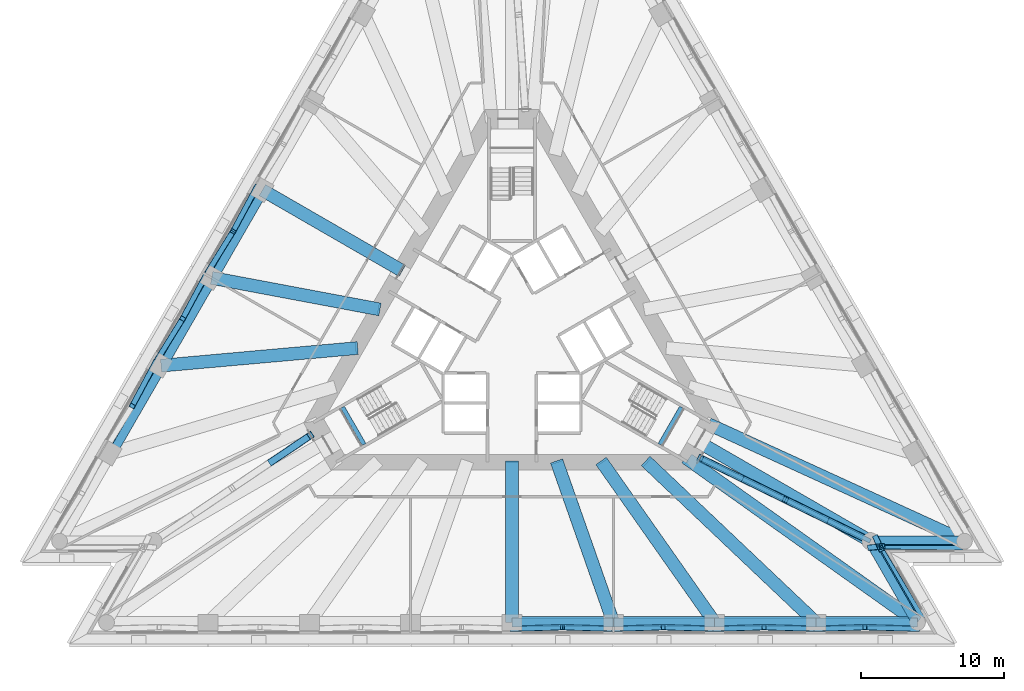
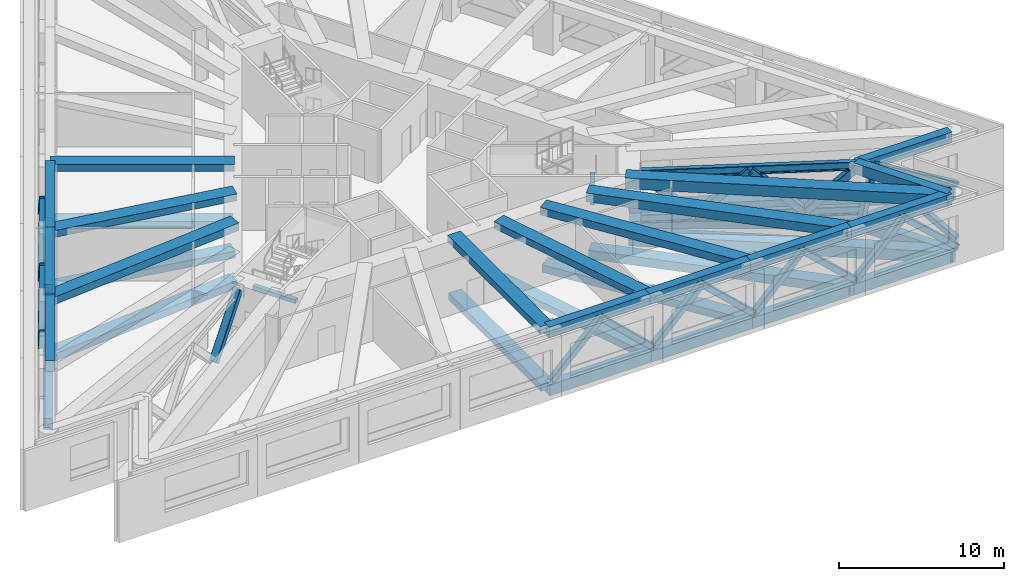
# One storey, part 2 of 13: 38 beams, 24 members.
"""IFC4 building model written with IfcOpenShell, lengths in metres."""

from ifc_helpers import new_model, si_unit, direction, frame, origin, origin_2d, place, context, subcontext, project, spatial, rectangle, hollow_rectangle, i_section, extrude, material, material_profile, profile_set, type_object, element, save


model = new_model("IFC4")

# Units and contexts
model_context = context("Model", 3, precision=1e-05, world=origin(), true_north=direction((0.0, 1.0)))
body_context = subcontext(model_context, "Body", "Model", "MODEL_VIEW")
ifc_project = project(units=[si_unit("LENGTHUNIT", "METRE"), si_unit("AREAUNIT", "SQUARE_METRE"), si_unit("VOLUMEUNIT", "CUBIC_METRE"), si_unit("PLANEANGLEUNIT", "RADIAN"), si_unit("MASSUNIT", "GRAM", prefix="KILO")], contexts=[model_context])

# Site, building, storey
site_placement = place(None, origin())
site = spatial("IfcSite", under=ifc_project, at=site_placement, CompositionType="ELEMENT")
building_placement = place(site_placement, origin())
building = spatial("IfcBuilding", under=site, at=building_placement, Name="Triada Interchange Tower", CompositionType="ELEMENT")
storey_placement = place(building_placement, frame((0.0, 0.0, 95.300048828125)))
storey = spatial("IfcBuildingStorey", under=building, at=storey_placement, Name="L21", CompositionType="ELEMENT", Elevation=95.300048828125)

# Members
ifc_material_1 = material(Name="Steel S355", Category="steel")
ifc_material_profile_1 = material_profile(ifc_material_1, hollow_rectangle(XDim=0.39990234375, YDim=0.39990234375, WallThickness=0.02001953125, InnerFilletRadius=0.02001953125, OuterFilletRadius=0.030029296875, at=origin_2d()), Name="RHS 400x400x20")
ifc_profile_set_1 = profile_set([ifc_material_profile_1], Name="Steel S355")
member_type_1 = type_object("IfcMemberType", Name="Belt truss diagonal RHS 400x400x20", PredefinedType="BRACE", material=ifc_profile_set_1)
member_1_placement = place(storey_placement, frame((-17.820068359375, 10.2880859375, 0.14990234375), z_axis=(-0.342566635054, -0.638419638056, 0.689252106483), x_axis=(0.881160268064, -0.472817704815, 0.0)))
element("IfcMember", 1, at=member_1_placement, inside=storey, type_object=member_type_1, Name="Belt truss diagonal 009 L21", PredefinedType="BRACE", context=body_context, shape_type="SweptSolid", body=[
    extrude(hollow_rectangle(XDim=0.39990234375, YDim=0.39990234375, WallThickness=0.02001953125, InnerFilletRadius=0.02001953125, OuterFilletRadius=0.030029296875, at=origin_2d()), origin(), (0.0, 0.0, 1.0), 4.860595703125),
])
member_2_placement = place(storey_placement, frame((-21.360107421875, 4.156982421875, 0.14990234375), z_axis=(0.383468261877, 0.619291256779, 0.685149933526), x_axis=(-0.850205245653, 0.526451365526, 0.0)))
element("IfcMember", 2, at=member_2_placement, inside=storey, type_object=member_type_1, Name="Belt truss diagonal 010 L21", PredefinedType="BRACE", context=body_context, shape_type="SweptSolid", body=[
    extrude(hollow_rectangle(XDim=0.39990234375, YDim=0.39990234375, WallThickness=0.02001953125, InnerFilletRadius=0.02001953125, OuterFilletRadius=0.030029296875, at=origin_2d()), origin(), (0.0, 0.0, 1.0), 4.8896484375),
])
member_3_placement = place(storey_placement, frame((-21.360107421875, 4.156982421875, 0.14990234375), z_axis=(-0.340351909776, -0.63528651706, 0.693232730584), x_axis=(0.881468506946, -0.472242809646, 0.0)))
element("IfcMember", 3, at=member_3_placement, inside=storey, type_object=member_type_1, Name="Belt truss diagonal 011 L21", PredefinedType="BRACE", context=body_context, shape_type="SweptSolid", body=[
    extrude(hollow_rectangle(XDim=0.39990234375, YDim=0.39990234375, WallThickness=0.02001953125, InnerFilletRadius=0.02001953125, OuterFilletRadius=0.030029296875, at=origin_2d()), origin(), (0.0, 0.0, 1.0), 4.83251953125),
])
member_4_placement = place(storey_placement, frame((-24.89990234375, -1.97412109375, 0.14990234375), z_axis=(0.385343396763, 0.622447244088, 0.681226757328), x_axis=(-0.850253584729, 0.526373291168, 0.0)))
element("IfcMember", 4, at=member_4_placement, inside=storey, type_object=member_type_1, Name="Belt truss diagonal 012 L21", PredefinedType="BRACE", context=body_context, shape_type="SweptSolid", body=[
    extrude(hollow_rectangle(XDim=0.39990234375, YDim=0.39990234375, WallThickness=0.02001953125, InnerFilletRadius=0.02001953125, OuterFilletRadius=0.030029296875, at=origin_2d()), origin(), (0.0, 0.0, 1.0), 4.917724609375),
])
member_5_placement = place(storey_placement, frame((-24.89990234375, -1.97412109375, 0.14990234375), z_axis=(-0.338381782857, -0.632001651194, 0.697188412066), x_axis=(0.881590575317, -0.472014891198, 0.0)))
element("IfcMember", 5, at=member_5_placement, inside=storey, type_object=member_type_1, Name="Belt truss diagonal 013 L21", PredefinedType="BRACE", context=body_context, shape_type="SweptSolid", body=[
    extrude(hollow_rectangle(XDim=0.39990234375, YDim=0.39990234375, WallThickness=0.02001953125, InnerFilletRadius=0.02001953125, OuterFilletRadius=0.030029296875, at=origin_2d()), origin(), (0.0, 0.0, 1.0), 4.80517578125),
])
member_6_placement = place(storey_placement, frame((0.0, -20.576904296875, 0.14990234375), z_axis=(0.724189399114, 0.022602665391, 0.689230609976), x_axis=(-0.031195795653, 0.999513292725, 0.0)))
element("IfcMember", 6, at=member_6_placement, inside=storey, type_object=member_type_1, Name="Belt truss diagonal 029 L21", PredefinedType="BRACE", context=body_context, shape_type="SweptSolid", body=[
    extrude(hollow_rectangle(XDim=0.39990234375, YDim=0.39990234375, WallThickness=0.02001953125, InnerFilletRadius=0.02001953125, OuterFilletRadius=0.030029296875, at=origin_2d()), origin(), (0.0, 0.0, 1.0), 4.860595703125),
])
member_7_placement = place(storey_placement, frame((7.080078125, -20.576904296875, 0.14990234375), z_axis=(-0.728071862105, 0.022468271701, 0.68513249841), x_axis=(-0.030845280278, -0.999524171136, 0.0)))
element("IfcMember", 7, at=member_7_placement, inside=storey, type_object=member_type_1, Name="Belt truss diagonal 030 L21", PredefinedType="BRACE", context=body_context, shape_type="SweptSolid", body=[
    extrude(hollow_rectangle(XDim=0.39990234375, YDim=0.39990234375, WallThickness=0.02001953125, InnerFilletRadius=0.02001953125, OuterFilletRadius=0.030029296875, at=origin_2d()), origin(), (0.0, 0.0, 1.0), 4.8896484375),
])
member_8_placement = place(storey_placement, frame((7.080078125, -20.576904296875, 0.14990234375), z_axis=(0.72043128378, 0.022731319429, 0.693153700465), x_axis=(-0.031536682639, 0.999502595118, 0.0)))
element("IfcMember", 8, at=member_8_placement, inside=storey, type_object=member_type_1, Name="Belt truss diagonal 031 L21", PredefinedType="BRACE", context=body_context, shape_type="SweptSolid", body=[
    extrude(hollow_rectangle(XDim=0.39990234375, YDim=0.39990234375, WallThickness=0.02001953125, InnerFilletRadius=0.02001953125, OuterFilletRadius=0.030029296875, at=origin_2d()), origin(), (0.0, 0.0, 1.0), 4.8330078125),
])
member_9_placement = place(storey_placement, frame((14.158935546875, -20.576904296875, 0.14990234375), z_axis=(-0.731585684741, 0.022345317188, 0.681383205459), x_axis=(-0.030529440073, -0.999533868005, 0.0)))
element("IfcMember", 9, at=member_9_placement, inside=storey, type_object=member_type_1, Name="Belt truss diagonal 032 L21", PredefinedType="BRACE", context=body_context, shape_type="SweptSolid", body=[
    extrude(hollow_rectangle(XDim=0.39990234375, YDim=0.39990234375, WallThickness=0.02001953125, InnerFilletRadius=0.02001953125, OuterFilletRadius=0.030029296875, at=origin_2d()), origin(), (0.0, 0.0, 1.0), 4.91650390625),
])
member_10_placement = place(storey_placement, frame((14.158935546875, -20.576904296875, 0.14990234375), z_axis=(0.716534461914, 0.022863256602, 0.697176904657), x_axis=(-0.031891873798, 0.999491324818, 0.0)))
element("IfcMember", 10, at=member_10_placement, inside=storey, type_object=member_type_1, Name="Belt truss diagonal 033 L21", PredefinedType="BRACE", context=body_context, shape_type="SweptSolid", body=[
    extrude(hollow_rectangle(XDim=0.39990234375, YDim=0.39990234375, WallThickness=0.02001953125, InnerFilletRadius=0.02001953125, OuterFilletRadius=0.030029296875, at=origin_2d()), origin(), (0.0, 0.0, 1.0), 4.80517578125),
])
member_11_placement = place(storey_placement, frame((21.239013671875, -20.576904296875, 0.14990234375), z_axis=(-0.735337083342, 0.02221263929, 0.677337414084), x_axis=(-0.030193651775, -0.999544067759, 0.0)))
element("IfcMember", 11, at=member_11_placement, inside=storey, type_object=member_type_1, Name="Belt truss diagonal 034 L21", PredefinedType="BRACE", context=body_context, shape_type="SweptSolid", body=[
    extrude(hollow_rectangle(XDim=0.39990234375, YDim=0.39990234375, WallThickness=0.02001953125, InnerFilletRadius=0.02001953125, OuterFilletRadius=0.030029296875, at=origin_2d()), origin(), (0.0, 0.0, 1.0), 4.946044921875),
])
member_12_placement = place(storey_placement, frame((21.239013671875, -20.576904296875, 0.14990234375), z_axis=(0.712443572087, 0.023000187061, 0.701352370771), x_axis=(-0.032266710837, 0.999479294119, 0.0)))
element("IfcMember", 12, at=member_12_placement, inside=storey, type_object=member_type_1, Name="Belt truss diagonal 035 L21", PredefinedType="BRACE", context=body_context, shape_type="SweptSolid", body=[
    extrude(hollow_rectangle(XDim=0.39990234375, YDim=0.39990234375, WallThickness=0.02001953125, InnerFilletRadius=0.02001953125, OuterFilletRadius=0.030029296875, at=origin_2d()), origin(), (0.0, 0.0, 1.0), 4.776611328125),
])
member_13_placement = place(storey_placement, frame((28.319091796875, -20.576904296875, 0.14990234375), z_axis=(-0.73902208364, 0.022080866983, 0.673319237216), x_axis=(-0.029865166416, -0.999553936431, 0.0)))
element("IfcMember", 13, at=member_13_placement, inside=storey, type_object=member_type_1, Name="Belt truss diagonal 036 L21", PredefinedType="BRACE", context=body_context, shape_type="SweptSolid", body=[
    extrude(hollow_rectangle(XDim=0.39990234375, YDim=0.39990234375, WallThickness=0.02001953125, InnerFilletRadius=0.02001953125, OuterFilletRadius=0.030029296875, at=origin_2d()), origin(), (0.0, 0.0, 1.0), 4.9755859375),
])
member_14_placement = place(storey_placement, frame((28.699951171875, -19.9169921875, 0.14990234375), z_axis=(-0.442259509247, 0.74191034266, 0.503959889212), x_axis=(-0.858963877667, -0.512036187064, 0.0)))
element("IfcMember", 14, at=member_14_placement, inside=storey, type_object=member_type_1, Name="Belt truss diagonal 037 L21", PredefinedType="BRACE", context=body_context, shape_type="SweptSolid", body=[
    extrude(hollow_rectangle(XDim=0.39990234375, YDim=0.39990234375, WallThickness=0.02001953125, InnerFilletRadius=0.02001953125, OuterFilletRadius=0.030029296875, at=origin_2d()), origin(), (0.0, 0.0, 1.0), 6.6474609375),
])
member_15_placement = place(storey_placement, frame((25.4208984375, -14.237060546875, 0.14990234375), z_axis=(0.09831286126, -0.216868687474, 0.971237640181), x_axis=(0.910783390263, 0.412884506879, 0.0)))
element("IfcMember", 15, at=member_15_placement, inside=storey, type_object=member_type_1, Name="Belt truss diagonal 038 L21", PredefinedType="BRACE", context=body_context, shape_type="SweptSolid", body=[
    extrude(hollow_rectangle(XDim=0.39990234375, YDim=0.39990234375, WallThickness=0.02001953125, InnerFilletRadius=0.02001953125, OuterFilletRadius=0.030029296875, at=origin_2d()), origin(), (0.0, 0.0, 1.0), 3.44921875),
])
member_16_placement = place(storey_placement, frame((25.0400390625, -14.89697265625, 0.14990234375), z_axis=(0.236569634936, 0.023218085057, 0.971337082764), x_axis=(-0.097675525689, 0.995218313578, 0.0)))
element("IfcMember", 16, at=member_16_placement, inside=storey, type_object=member_type_1, Name="Belt truss diagonal 039 L21", PredefinedType="BRACE", context=body_context, shape_type="SweptSolid", body=[
    extrude(hollow_rectangle(XDim=0.39990234375, YDim=0.39990234375, WallThickness=0.02001953125, InnerFilletRadius=0.02001953125, OuterFilletRadius=0.030029296875, at=origin_2d()), origin(), (0.0, 0.0, 1.0), 3.448974609375),
])
member_17_placement = place(storey_placement, frame((31.59912109375, -14.89697265625, 0.14990234375), z_axis=(-0.863721586244, 0.012043048813, 0.503825353105), x_axis=(-0.013941851765, -0.999902807662, 0.0)))
element("IfcMember", 17, at=member_17_placement, inside=storey, type_object=member_type_1, Name="Belt truss diagonal 040 L21", PredefinedType="BRACE", context=body_context, shape_type="SweptSolid", body=[
    extrude(hollow_rectangle(XDim=0.39990234375, YDim=0.39990234375, WallThickness=0.02001953125, InnerFilletRadius=0.02001953125, OuterFilletRadius=0.030029296875, at=origin_2d()), origin(), (0.0, 0.0, 1.0), 6.6494140625),
])

# Beams
ifc_material_2 = material(Name="Concrete C35/45", Category="concrete")
ifc_material_profile_2 = material_profile(ifc_material_2, rectangle(XDim=0.300048828125, YDim=0.300048828125, at=origin_2d()), Name="RC 300x300")
ifc_profile_set_2 = profile_set([ifc_material_profile_2], Name="Concrete C35/45")
beam_type_1 = type_object("IfcBeamType", Name="Landing support beam RC 300x300", PredefinedType="BEAM", material=ifc_profile_set_2)
for number, where, z_axis, x_axis, name in (
    (18, (-11.8349609375, -5.10107421875, 1.822265625), (0.50002537861, -0.866010750942, 0.0), (0.866010750942, 0.50002537861, 0.0), "Landing support beam S21-2 1"),
    (19, (10.3349609375, -7.698974609375, 1.822265625), (0.50002537861, 0.866010750942, 0.0), (-0.866010750942, 0.50002537861, 0.0), "Landing support beam S21-3 1"),
):
    element("IfcBeam", number, at=place(storey_placement, frame(where, z_axis=z_axis, x_axis=x_axis)), inside=storey, type_object=beam_type_1, Name=name, PredefinedType="BEAM", context=body_context, shape_type="SweptSolid", body=[
        extrude(rectangle(XDim=0.300048828125, YDim=0.300048828125, at=origin_2d()), origin(), (0.0, 0.0, 1.0), 2.999755859375),
    ])

# Members
ifc_material_3 = material(Name="Steel S460M", Category="steel")
ifc_material_profile_3 = material_profile(ifc_material_3, i_section(OverallWidth=0.304931640625, OverallDepth=0.6201171875, WebThickness=0.02099609375, FlangeThickness=0.0400390625, FilletRadius=0.027099609375, at=origin_2d()), Name="HEM 600")
ifc_profile_set_3 = profile_set([ifc_material_profile_3], Name="Steel S460M")
member_type_2 = type_object("IfcMemberType", Name="Outrigger chord HEM 600", PredefinedType="CHORD", material=ifc_profile_set_3)
for number, where, z_axis, x_axis, name in (
    (20, (13.153076171875, -8.655029296875, 0.31005859375), (0.898664648373, -0.438636352535, 0.0), (0.438636352535, 0.898664648373, 0.0), "Outrigger bottom chord SE L21"),
    (21, (13.153076171875, -8.655029296875, 3.58984375), (0.898664648373, -0.438636352535, 0.0), (0.438636352535, 0.898664648373, 0.0), "Outrigger top chord SE L21"),
):
    element("IfcMember", number, at=place(storey_placement, frame(where, z_axis=z_axis, x_axis=x_axis)), inside=storey, type_object=member_type_2, Name=name, PredefinedType="CHORD", context=body_context, shape_type="SweptSolid", body=[
        extrude(i_section(OverallWidth=0.304931640625, OverallDepth=0.6201171875, WebThickness=0.02099609375, FlangeThickness=0.0400390625, FilletRadius=0.027099609375, at=origin_2d()), origin(), (0.0, 0.0, 1.0), 13.227294921875),
    ])
ifc_material_profile_4 = material_profile(ifc_material_1, hollow_rectangle(XDim=0.5, YDim=0.5, WallThickness=0.02490234375, InnerFilletRadius=0.02490234375, OuterFilletRadius=0.03759765625, at=origin_2d()), Name="RHS 500x500x25")
ifc_profile_set_4 = profile_set([ifc_material_profile_4], Name="Steel S355")
member_type_3 = type_object("IfcMemberType", Name="Outrigger diagonal RHS 500x500x25", PredefinedType="BRACE", material=ifc_profile_set_4)
member_18_placement = place(storey_placement, frame((-14.072021484375, -7.06298828125, 3.58984375), z_axis=(-0.588686027529, -0.397000086591, -0.704158854406), x_axis=(0.559121607415, -0.829085657892, 0.0)))
element("IfcMember", 22, at=member_18_placement, inside=storey, type_object=member_type_3, Name="Outrigger diagonal SW 1 L21", PredefinedType="BRACE", context=body_context, shape_type="SweptSolid", body=[
    extrude(hollow_rectangle(XDim=0.5, YDim=0.5, WallThickness=0.02490234375, InnerFilletRadius=0.02490234375, OuterFilletRadius=0.03759765625, at=origin_2d()), origin(), (0.0, 0.0, 1.0), 4.65771484375),
])
member_19_placement = place(storey_placement, frame((13.153076171875, -8.655029296875, 3.58984375), z_axis=(0.63810342607, -0.311319826454, -0.704204503887), x_axis=(0.438480361203, 0.898740770656, 0.0)))
element("IfcMember", 23, at=member_19_placement, inside=storey, type_object=member_type_3, Name="Outrigger diagonal SE 1 L21", PredefinedType="BRACE", context=body_context, shape_type="SweptSolid", body=[
    extrude(hollow_rectangle(XDim=0.5, YDim=0.5, WallThickness=0.02490234375, InnerFilletRadius=0.02490234375, OuterFilletRadius=0.03759765625, at=origin_2d()), origin(), (0.0, 0.0, 1.0), 4.657470703125),
])
member_20_placement = place(storey_placement, frame((16.125, -10.10498046875, 0.31005859375), z_axis=(0.637937432343, -0.311550839051, 0.704252729567), x_axis=(0.438835298505, 0.898567515986, 0.0)))
element("IfcMember", 24, at=member_20_placement, inside=storey, type_object=member_type_3, Name="Outrigger diagonal SE 2 L21", PredefinedType="BRACE", context=body_context, shape_type="SweptSolid", body=[
    extrude(hollow_rectangle(XDim=0.5, YDim=0.5, WallThickness=0.02490234375, InnerFilletRadius=0.02490234375, OuterFilletRadius=0.03759765625, at=origin_2d()), origin(), (0.0, 0.0, 1.0), 4.6572265625),
])
for number, where, z_axis, x_axis, name in (
    (25, (19.095947265625, -11.555908203125, 3.58984375), (0.638124086288, -0.31135674984, -0.704169457466), (0.438510898347, 0.89872587146, 0.0), "Outrigger diagonal SE 3 L21"),
    (26, (22.068115234375, -13.006103515625, 0.31005859375), (0.638061762642, -0.311509164165, 0.704158524549), (0.438718857332, 0.898624373263, 0.0), "Outrigger diagonal SE 4 L21"),
):
    element("IfcMember", number, at=place(storey_placement, frame(where, z_axis=z_axis, x_axis=x_axis)), inside=storey, type_object=member_type_3, Name=name, PredefinedType="BRACE", context=body_context, shape_type="SweptSolid", body=[
        extrude(hollow_rectangle(XDim=0.5, YDim=0.5, WallThickness=0.02490234375, InnerFilletRadius=0.02490234375, OuterFilletRadius=0.03759765625, at=origin_2d()), origin(), (0.0, 0.0, 1.0), 4.65771484375),
    ])

# Beams
ifc_material_4 = material(Name="Concrete C50/60", Category="concrete")
ifc_material_profile_5 = material_profile(ifc_material_4, rectangle(XDim=0.89990234375, YDim=0.5, at=origin_2d()), Name="RC 900x500")
ifc_profile_set_5 = profile_set([ifc_material_profile_5], Name="Concrete C50/60")
beam_type_2 = type_object("IfcBeamType", Name="Radial band beam A RC 900x500", PredefinedType="BEAM", material=ifc_profile_set_5)
beam_1_placement = place(storey_placement, frame((-17.43896484375, 10.068115234375, -0.550048828125), z_axis=(0.866038760323, -0.499976865083, 0.0), x_axis=(0.499976865083, 0.866038760323, 0.0)))
element("IfcBeam", 27, at=beam_1_placement, inside=storey, type_object=beam_type_2, Name="Radial band beam BA05 L21", PredefinedType="BEAM", context=body_context, shape_type="SweptSolid", body=[
    extrude(rectangle(XDim=0.89990234375, YDim=0.5, at=origin_2d()), origin(), (0.0, 0.0, 1.0), 11.1865234375),
])
beam_2_placement = place(storey_placement, frame((-20.97900390625, 3.93701171875, -0.550048828125), z_axis=(0.982846306402, -0.184426511086, 0.0), x_axis=(0.184426511086, 0.982846306402, 0.0)))
element("IfcBeam", 28, at=beam_2_placement, inside=storey, type_object=beam_type_2, Name="Radial band beam BA06 L21", PredefinedType="BEAM", context=body_context, shape_type="SweptSolid", body=[
    extrude(rectangle(XDim=0.89990234375, YDim=0.5, at=origin_2d()), origin(), (0.0, 0.0, 1.0), 11.8583984375),
])
beam_3_placement = place(storey_placement, frame((0.0, -20.136962890625, -0.550048828125), z_axis=(0.0, 1.0, 0.0), x_axis=(-1.0, 0.0, 0.0)))
element("IfcBeam", 29, at=beam_3_placement, inside=storey, type_object=beam_type_2, Name="Radial band beam BA15 L21", PredefinedType="BEAM", context=body_context, shape_type="SweptSolid", body=[
    extrude(rectangle(XDim=0.89990234375, YDim=0.5, at=origin_2d()), origin(), (0.0, 0.0, 1.0), 11.18701171875),
])
beam_4_placement = place(storey_placement, frame((7.080078125, -20.136962890625, -0.550048828125), z_axis=(-0.33167618164, 0.943393295785, 0.0), x_axis=(-0.943393295785, -0.33167618164, 0.0)))
element("IfcBeam", 30, at=beam_4_placement, inside=storey, type_object=beam_type_2, Name="Radial band beam BA16 L21", PredefinedType="BEAM", context=body_context, shape_type="SweptSolid", body=[
    extrude(rectangle(XDim=0.89990234375, YDim=0.5, at=origin_2d()), origin(), (0.0, 0.0, 1.0), 11.858154296875),
])
beam_5_placement = place(storey_placement, frame((-17.343994140625, 10.013916015625, 3.64990234375), z_axis=(0.866019358432, -0.500010470711, 0.0), x_axis=(0.500010470711, 0.866019358432, 0.0)))
element("IfcBeam", 31, at=beam_5_placement, inside=storey, type_object=beam_type_2, Name="Radial band beam BA05 L22", PredefinedType="BEAM", context=body_context, shape_type="SweptSolid", body=[
    extrude(rectangle(XDim=0.89990234375, YDim=0.5, at=origin_2d()), origin(), (0.0, 0.0, 1.0), 11.177490234375),
])
beam_6_placement = place(storey_placement, frame((-20.864013671875, 3.916015625, 3.64990234375), z_axis=(0.982829702677, -0.184514973744, 0.0), x_axis=(0.184514973744, 0.982829702677, 0.0)))
element("IfcBeam", 32, at=beam_6_placement, inside=storey, type_object=beam_type_2, Name="Radial band beam BA06 L22", PredefinedType="BEAM", context=body_context, shape_type="SweptSolid", body=[
    extrude(rectangle(XDim=0.89990234375, YDim=0.5, at=origin_2d()), origin(), (0.0, 0.0, 1.0), 11.847412109375),
])
beam_7_placement = place(storey_placement, frame((0.0, -20.027099609375, 3.64990234375), z_axis=(0.0, 1.0, 0.0), x_axis=(-1.0, 0.0, 0.0)))
element("IfcBeam", 33, at=beam_7_placement, inside=storey, type_object=beam_type_2, Name="Radial band beam BA15 L22", PredefinedType="BEAM", context=body_context, shape_type="SweptSolid", body=[
    extrude(rectangle(XDim=0.89990234375, YDim=0.5, at=origin_2d()), origin(), (0.0, 0.0, 1.0), 11.177001953125),
])
beam_8_placement = place(storey_placement, frame((7.041015625, -20.027099609375, 3.64990234375), z_axis=(-0.331702126335, 0.943384173805, 0.0), x_axis=(-0.943384173805, -0.331702126335, 0.0)))
element("IfcBeam", 34, at=beam_8_placement, inside=storey, type_object=beam_type_2, Name="Radial band beam BA16 L22", PredefinedType="BEAM", context=body_context, shape_type="SweptSolid", body=[
    extrude(rectangle(XDim=0.89990234375, YDim=0.5, at=origin_2d()), origin(), (0.0, 0.0, 1.0), 11.84765625),
])
ifc_material_profile_6 = material_profile(ifc_material_4, rectangle(XDim=0.89990234375, YDim=0.550048828125, at=origin_2d()), Name="RC 900x550")
ifc_profile_set_6 = profile_set([ifc_material_profile_6], Name="Concrete C50/60")
beam_type_3 = type_object("IfcBeamType", Name="Radial band beam A RC 900x550", PredefinedType="BEAM", material=ifc_profile_set_6)
for number, where, z_axis, x_axis, name in (
    (35, (-24.51904296875, -2.194091796875, -0.574951171875), (0.996019385693, 0.08913687971, 0.0), (-0.08913687971, 0.996019385693, 0.0), "Radial band beam BA07 L21"),
    (36, (14.158935546875, -20.136962890625, -0.574951171875), (-0.575181605132, 0.818025745999, 0.0), (-0.818025745999, -0.575181605132, 0.0), "Radial band beam BA17 L21"),
):
    element("IfcBeam", number, at=place(storey_placement, frame(where, z_axis=z_axis, x_axis=x_axis)), inside=storey, type_object=beam_type_3, Name=name, PredefinedType="BEAM", context=body_context, shape_type="SweptSolid", body=[
        extrude(rectangle(XDim=0.89990234375, YDim=0.550048828125, at=origin_2d()), origin(), (0.0, 0.0, 1.0), 13.675537109375),
    ])
beam_9_placement = place(storey_placement, frame((25.0400390625, -14.45703125, -0.574951171875), z_axis=(-0.866035418383, 0.499982653806, 0.0), x_axis=(-0.499982653806, -0.866035418383, 0.0)))
element("IfcBeam", 37, at=beam_9_placement, inside=storey, type_object=beam_type_3, Name="Radial band beam BA20 L21", PredefinedType="BEAM", context=body_context, shape_type="SweptSolid", body=[
    extrude(rectangle(XDim=0.89990234375, YDim=0.550048828125, at=origin_2d()), origin(), (0.0, 0.0, 1.0), 13.888671875),
])
for number, where, z_axis, x_axis, name in (
    (38, (-24.384033203125, -2.181884765625, 3.625), (0.996020360989, 0.089125981031, 0.0), (-0.089125981031, 0.996020360989, 0.0), "Radial band beam BA07 L22"),
    (39, (14.08203125, -20.027099609375, 3.625), (-0.575191511092, 0.818018780694, 0.0), (-0.818018780694, -0.575191511092, 0.0), "Radial band beam BA17 L22"),
):
    element("IfcBeam", number, at=place(storey_placement, frame(where, z_axis=z_axis, x_axis=x_axis)), inside=storey, type_object=beam_type_3, Name=name, PredefinedType="BEAM", context=body_context, shape_type="SweptSolid", body=[
        extrude(rectangle(XDim=0.89990234375, YDim=0.550048828125, at=origin_2d()), origin(), (0.0, 0.0, 1.0), 13.66357421875),
    ])
ifc_material_profile_7 = material_profile(ifc_material_4, rectangle(XDim=0.89990234375, YDim=0.64990234375, at=origin_2d()), Name="RC 900x650")
ifc_profile_set_7 = profile_set([ifc_material_profile_7], Name="Concrete C50/60")
beam_type_4 = type_object("IfcBeamType", Name="Radial band beam A RC 900x650", PredefinedType="BEAM", material=ifc_profile_set_7)
beam_10_placement = place(storey_placement, frame((21.239013671875, -20.136962890625, -0.625), z_axis=(-0.725678009091, 0.688034466522, 0.0), x_axis=(-0.688034466522, -0.725678009091, 0.0)))
element("IfcBeam", 40, at=beam_10_placement, inside=storey, type_object=beam_type_4, Name="Radial band beam BA18 L21", PredefinedType="BEAM", context=body_context, shape_type="SweptSolid", body=[
    extrude(rectangle(XDim=0.89990234375, YDim=0.64990234375, at=origin_2d()), origin(), (0.0, 0.0, 1.0), 16.25927734375),
])
beam_11_placement = place(storey_placement, frame((21.1220703125, -20.027099609375, 3.574951171875), z_axis=(-0.72566550981, 0.68804764942, 0.0), x_axis=(-0.68804764942, -0.72566550981, 0.0)))
element("IfcBeam", 41, at=beam_11_placement, inside=storey, type_object=beam_type_4, Name="Radial band beam BA18 L22", PredefinedType="BEAM", context=body_context, shape_type="SweptSolid", body=[
    extrude(rectangle(XDim=0.89990234375, YDim=0.64990234375, at=origin_2d()), origin(), (0.0, 0.0, 1.0), 16.24462890625),
])
ifc_material_profile_8 = material_profile(ifc_material_4, rectangle(XDim=0.89990234375, YDim=0.800048828125, at=origin_2d()), Name="RC 900x800")
ifc_profile_set_8 = profile_set([ifc_material_profile_8], Name="Concrete C50/60")
beam_type_5 = type_object("IfcBeamType", Name="Radial band beam A RC 900x800", PredefinedType="BEAM", material=ifc_profile_set_8)
beam_12_placement = place(storey_placement, frame((28.319091796875, -20.136962890625, -0.699951171875), z_axis=(-0.814966144089, 0.579508571109, 0.0), x_axis=(-0.579508571109, -0.814966144089, 0.0)))
element("IfcBeam", 42, at=beam_12_placement, inside=storey, type_object=beam_type_5, Name="Radial band beam BA19 L21", PredefinedType="BEAM", context=body_context, shape_type="SweptSolid", body=[
    extrude(rectangle(XDim=0.89990234375, YDim=0.800048828125, at=origin_2d()), origin(), (0.0, 0.0, 1.0), 19.656005859375),
])
beam_13_placement = place(storey_placement, frame((31.59912109375, -14.45703125, -0.699951171875), z_axis=(-0.909348438379, 0.416035356211, 0.0), x_axis=(-0.416035356211, -0.909348438379, 0.0)))
element("IfcBeam", 43, at=beam_13_placement, inside=storey, type_object=beam_type_5, Name="Radial band beam BA21 L21", PredefinedType="BEAM", context=body_context, shape_type="SweptSolid", body=[
    extrude(rectangle(XDim=0.89990234375, YDim=0.800048828125, at=origin_2d()), origin(), (0.0, 0.0, 1.0), 19.656982421875),
])
beam_14_placement = place(storey_placement, frame((28.1630859375, -20.027099609375, 3.5), z_axis=(-0.814952201697, 0.579528177873, 0.0), x_axis=(-0.579528177873, -0.814952201697, 0.0)))
element("IfcBeam", 44, at=beam_14_placement, inside=storey, type_object=beam_type_5, Name="Radial band beam BA19 L22", PredefinedType="BEAM", context=body_context, shape_type="SweptSolid", body=[
    extrude(rectangle(XDim=0.89990234375, YDim=0.800048828125, at=origin_2d()), origin(), (0.0, 0.0, 1.0), 19.692138671875),
])
ifc_material_profile_9 = material_profile(ifc_material_4, rectangle(XDim=0.60009765625, YDim=0.800048828125, at=origin_2d()), Name="RC 600x800")
ifc_profile_set_9 = profile_set([ifc_material_profile_9], Name="Concrete C50/60")
beam_type_6 = type_object("IfcBeamType", Name="Spandrel beam A RC 600x800", PredefinedType="BEAM", material=ifc_profile_set_9)
for number, where, z_axis, x_axis, name in (
    (45, (-17.43896484375, 10.068115234375, -0.699951171875), (-0.500025932755, -0.866010430984, 0.0), (0.866010430984, -0.500025932755, 0.0), "Spandrel beam EA05 L21"),
    (46, (-20.97900390625, 3.93701171875, -0.699951171875), (-0.500025932755, -0.866010430984, 0.0), (0.866010430984, -0.500025932755, 0.0), "Spandrel beam EA06 L21"),
):
    element("IfcBeam", number, at=place(storey_placement, frame(where, z_axis=z_axis, x_axis=x_axis)), inside=storey, type_object=beam_type_6, Name=name, PredefinedType="BEAM", context=body_context, shape_type="SweptSolid", body=[
        extrude(rectangle(XDim=0.60009765625, YDim=0.800048828125, at=origin_2d()), origin(), (0.0, 0.0, 1.0), 7.07958984375),
    ])
beam_15_placement = place(storey_placement, frame((-24.51904296875, -2.194091796875, -0.699951171875), z_axis=(-0.499981137809, -0.866036293601, 0.0), x_axis=(0.866036293601, -0.499981137809, 0.0)))
element("IfcBeam", 47, at=beam_15_placement, inside=storey, type_object=beam_type_6, Name="Spandrel beam EA07 L21", PredefinedType="BEAM", context=body_context, shape_type="SweptSolid", body=[
    extrude(rectangle(XDim=0.60009765625, YDim=0.800048828125, at=origin_2d()), origin(), (0.0, 0.0, 1.0), 7.080322265625),
])
beam_16_placement = place(storey_placement, frame((0.0, -20.136962890625, -0.699951171875), z_axis=(1.0, 0.0, 0.0), x_axis=(0.0, 1.0, 0.0)))
element("IfcBeam", 48, at=beam_16_placement, inside=storey, type_object=beam_type_6, Name="Spandrel beam EA15 L21", PredefinedType="BEAM", context=body_context, shape_type="SweptSolid", body=[
    extrude(rectangle(XDim=0.60009765625, YDim=0.800048828125, at=origin_2d()), origin(), (0.0, 0.0, 1.0), 7.080078125),
])
beam_17_placement = place(storey_placement, frame((7.080078125, -20.136962890625, -0.699951171875), z_axis=(1.0, 0.0, 0.0), x_axis=(0.0, 1.0, 0.0)))
element("IfcBeam", 49, at=beam_17_placement, inside=storey, type_object=beam_type_6, Name="Spandrel beam EA16 L21", PredefinedType="BEAM", context=body_context, shape_type="SweptSolid", body=[
    extrude(rectangle(XDim=0.60009765625, YDim=0.800048828125, at=origin_2d()), origin(), (0.0, 0.0, 1.0), 7.078857421875),
])
for number, where, z_axis, x_axis, name in (
    (50, (14.158935546875, -20.136962890625, -0.699951171875), (1.0, 0.0, 0.0), (0.0, 1.0, 0.0), "Spandrel beam EA17 L21"),
    (51, (21.239013671875, -20.136962890625, -0.699951171875), (1.0, 0.0, 0.0), (0.0, 1.0, 0.0), "Spandrel beam EA18 L21"),
):
    element("IfcBeam", number, at=place(storey_placement, frame(where, z_axis=z_axis, x_axis=x_axis)), inside=storey, type_object=beam_type_6, Name=name, PredefinedType="BEAM", context=body_context, shape_type="SweptSolid", body=[
        extrude(rectangle(XDim=0.60009765625, YDim=0.800048828125, at=origin_2d()), origin(), (0.0, 0.0, 1.0), 7.080078125),
    ])
beam_18_placement = place(storey_placement, frame((28.319091796875, -20.136962890625, -0.699951171875), z_axis=(-0.4999705729, 0.866042392862, 0.0), x_axis=(-0.866042392862, -0.4999705729, 0.0)))
element("IfcBeam", 52, at=beam_18_placement, inside=storey, type_object=beam_type_6, Name="Spandrel beam EA19 L21", PredefinedType="BEAM", context=body_context, shape_type="SweptSolid", body=[
    extrude(rectangle(XDim=0.60009765625, YDim=0.800048828125, at=origin_2d()), origin(), (0.0, 0.0, 1.0), 6.55859375),
])
beam_19_placement = place(storey_placement, frame((25.0400390625, -14.45703125, -0.699951171875), z_axis=(1.0, 0.0, 0.0), x_axis=(0.0, 1.0, 0.0)))
element("IfcBeam", 53, at=beam_19_placement, inside=storey, type_object=beam_type_6, Name="Spandrel beam EA20 L21", PredefinedType="BEAM", context=body_context, shape_type="SweptSolid", body=[
    extrude(rectangle(XDim=0.60009765625, YDim=0.800048828125, at=origin_2d()), origin(), (0.0, 0.0, 1.0), 6.55908203125),
])
for number, where, z_axis, x_axis, name in (
    (54, (-17.343994140625, 10.013916015625, 3.5), (-0.499935564725, -0.866062602312, 0.0), (0.866062602312, -0.499935564725, 0.0), "Spandrel beam EA05 L22"),
    (55, (-20.864013671875, 3.916015625, 3.5), (-0.499935564725, -0.866062602312, 0.0), (0.866062602312, -0.499935564725, 0.0), "Spandrel beam EA06 L22"),
):
    element("IfcBeam", number, at=place(storey_placement, frame(where, z_axis=z_axis, x_axis=x_axis)), inside=storey, type_object=beam_type_6, Name=name, PredefinedType="BEAM", context=body_context, shape_type="SweptSolid", body=[
        extrude(rectangle(XDim=0.60009765625, YDim=0.800048828125, at=origin_2d()), origin(), (0.0, 0.0, 1.0), 7.041015625),
    ])
beam_20_placement = place(storey_placement, frame((-24.384033203125, -2.181884765625, 3.5), z_axis=(-0.500084632063, -0.865976535926, 0.0), x_axis=(0.865976535926, -0.500084632063, 0.0)))
element("IfcBeam", 56, at=beam_20_placement, inside=storey, type_object=beam_type_6, Name="Spandrel beam EA07 L22", PredefinedType="BEAM", context=body_context, shape_type="SweptSolid", body=[
    extrude(rectangle(XDim=0.60009765625, YDim=0.800048828125, at=origin_2d()), origin(), (0.0, 0.0, 1.0), 7.040771484375),
])
for number, where, z_axis, x_axis, name in (
    (57, (0.0, -20.027099609375, 3.5), (1.0, 0.0, 0.0), (0.0, 1.0, 0.0), "Spandrel beam EA15 L22"),
    (58, (7.041015625, -20.027099609375, 3.5), (1.0, 0.0, 0.0), (0.0, 1.0, 0.0), "Spandrel beam EA16 L22"),
):
    element("IfcBeam", number, at=place(storey_placement, frame(where, z_axis=z_axis, x_axis=x_axis)), inside=storey, type_object=beam_type_6, Name=name, PredefinedType="BEAM", context=body_context, shape_type="SweptSolid", body=[
        extrude(rectangle(XDim=0.60009765625, YDim=0.800048828125, at=origin_2d()), origin(), (0.0, 0.0, 1.0), 7.041015625),
    ])
beam_21_placement = place(storey_placement, frame((14.08203125, -20.027099609375, 3.5), z_axis=(1.0, 0.0, 0.0), x_axis=(0.0, 1.0, 0.0)))
element("IfcBeam", 59, at=beam_21_placement, inside=storey, type_object=beam_type_6, Name="Spandrel beam EA17 L22", PredefinedType="BEAM", context=body_context, shape_type="SweptSolid", body=[
    extrude(rectangle(XDim=0.60009765625, YDim=0.800048828125, at=origin_2d()), origin(), (0.0, 0.0, 1.0), 7.0400390625),
])
beam_22_placement = place(storey_placement, frame((21.1220703125, -20.027099609375, 3.5), z_axis=(1.0, 0.0, 0.0), x_axis=(0.0, 1.0, 0.0)))
element("IfcBeam", 60, at=beam_22_placement, inside=storey, type_object=beam_type_6, Name="Spandrel beam EA18 L22", PredefinedType="BEAM", context=body_context, shape_type="SweptSolid", body=[
    extrude(rectangle(XDim=0.60009765625, YDim=0.800048828125, at=origin_2d()), origin(), (0.0, 0.0, 1.0), 7.041015625),
])
for number, where, z_axis, x_axis, name in (
    (61, (28.1630859375, -20.027099609375, 3.5), (-0.500010741103, 0.866019202317, 0.0), (-0.866019202317, -0.500010741103, 0.0), "Spandrel beam EA19 L22"),
    (62, (24.90087890625, -14.376953125, 3.5), (1.0, 0.0, 0.0), (0.0, 1.0, 0.0), "Spandrel beam EA20 L22"),
):
    element("IfcBeam", number, at=place(storey_placement, frame(where, z_axis=z_axis, x_axis=x_axis)), inside=storey, type_object=beam_type_6, Name=name, PredefinedType="BEAM", context=body_context, shape_type="SweptSolid", body=[
        extrude(rectangle(XDim=0.60009765625, YDim=0.800048828125, at=origin_2d()), origin(), (0.0, 0.0, 1.0), 6.524169921875),
    ])

save(model, "model.ifc")
